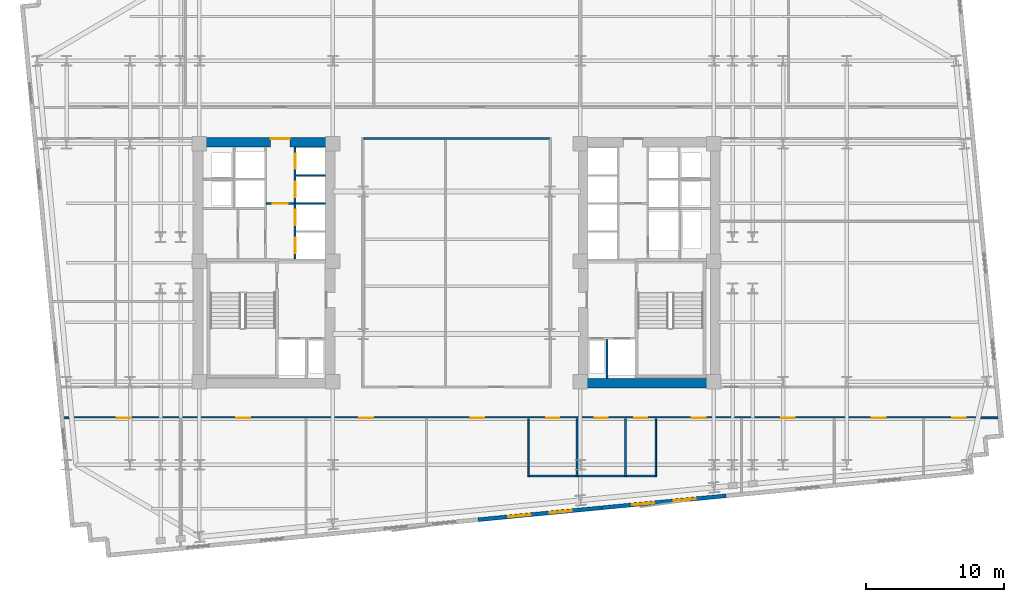
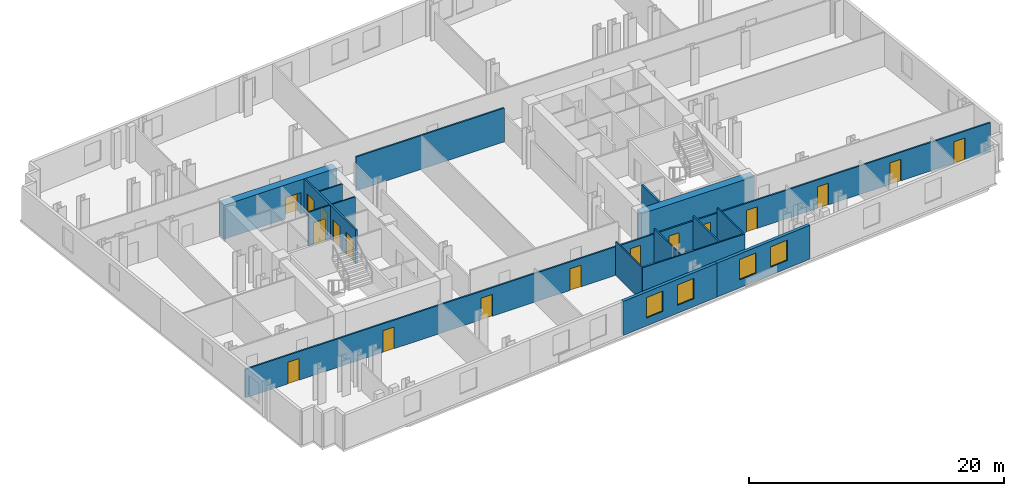
# One storey, part 5 of 10: 17 doors, 16 walls, 4 windows, 21 openings.
"""IFC4 building model written with IfcOpenShell, lengths in metres."""

from ifc_helpers import new_model, si_unit, direction, frame, frame_2d, origin, place, context, subcontext, project, spatial, rectangle, extrude, material, layer, layer_set, type_object, element, fill, save


model = new_model("IFC4")

# Units and contexts
model_context = context("Model", 3, precision=1e-05, world=origin(), true_north=direction((0.0, 1.0)))
body_context = subcontext(model_context, "Body", "Model", "MODEL_VIEW")
ifc_project = project(units=[si_unit("LENGTHUNIT", "METRE"), si_unit("AREAUNIT", "SQUARE_METRE"), si_unit("VOLUMEUNIT", "CUBIC_METRE"), si_unit("PLANEANGLEUNIT", "RADIAN"), si_unit("MASSUNIT", "GRAM", prefix="KILO")], contexts=[model_context])

# Site, building, storey
site_placement = place(None, origin())
site = spatial("IfcSite", under=ifc_project, at=site_placement, CompositionType="ELEMENT")
building_placement = place(site_placement, origin())
building = spatial("IfcBuilding", under=site, at=building_placement, Name="Velakula Bourse", CompositionType="ELEMENT")
storey_placement = place(building_placement, frame((0.0, 0.0, 84.550048828125)))
storey = spatial("IfcBuildingStorey", under=building, at=storey_placement, Name="L22", CompositionType="ELEMENT", Elevation=84.550048828125)

# Wall, opening, door
ifc_material_1 = material(Name="Concrete M70 (fck 70 MPa)", Category="concrete")
ifc_layer_1 = layer(ifc_material_1, 0.699951171875, Name="Concrete M70 (fck 70 MPa)", Category="concrete")
ifc_layer_set_1 = layer_set([ifc_layer_1], Name="Concrete M70 (fck 70 MPa)")
wall_type_1 = type_object("IfcWallType", Name="WL-CORE-700", PredefinedType="SHEAR", material=ifc_layer_set_1)
wall_1_placement = place(storey_placement, frame((-19.050048828125, 8.699951171875, 0.0), z_axis=(0.0, 0.0, 1.0), x_axis=(1.0, 0.0, 0.0)))
wall_1 = element("IfcWall", 1, at=wall_1_placement, inside=storey, type_object=wall_type_1, Name="L22 Core W Shear Wall N", PredefinedType="SHEAR", context=body_context, shape_type="SweptSolid", body=[
    extrude(rectangle(XDim=10.25, YDim=0.699951171875, at=frame_2d((5.125, 0.0))), origin(), (0.0, 0.0, 1.0), 3.27001953125),
])
opening_1_placement = place(wall_1_placement, frame((5.60009765625, 0.0, 0.0)))
opening_1 = element("IfcOpeningElement", 2, at=opening_1_placement, cuts=wall_1, Name="Opening D-LLW", PredefinedType="OPENING", context=body_context, shape_type="SweptSolid", body=[
    extrude(rectangle(XDim=1.39990234375, YDim=2.050048828125, at=frame_2d((0.699951171875, 1.02490234375))), frame((0.0, 0.35986328125, 0.0), z_axis=(0.0, -1.0, 0.0), x_axis=(1.0, 0.0, 0.0)), (0.0, 0.0, 1.0), 0.719970703125),
])
ifc_material_2 = material(Name="Fire-rated hardwood flush architectural door", Category="wood")
door_type_1 = type_object("IfcDoorType", Name="DR-DBL-FD60-1400", OperationType="DOUBLE_DOOR_SINGLE_SWING", PredefinedType="DOOR", material=ifc_material_2)
door_1_placement = place(opening_1_placement, origin())
door_1 = element("IfcDoor", 3, at=door_1_placement, inside=storey, type_object=door_type_1, Name="L22 Core W Lift Lobby Corridor Double Door", OperationType="DOUBLE_DOOR_SINGLE_SWING", OverallHeight=2.050048828125, OverallWidth=1.39990234375, PredefinedType="DOOR", context=body_context, shape_type="SweptSolid", body=[
    extrude(rectangle(XDim=1.39990234375, YDim=2.050048828125, at=frame_2d((0.699951171875, 1.02490234375))), frame((0.0, 0.294921875, 0.0), z_axis=(0.0, -1.0, 0.0), x_axis=(1.0, 0.0, 0.0)), (0.0, 0.0, 1.0), 0.050048828125),
])
fill(opening_1, door_1)

# Wall
wall_2_placement = place(storey_placement, frame((8.800048828125, -8.699951171875, 0.0), z_axis=(0.0, 0.0, 1.0), x_axis=(1.0, 0.0, 0.0)))
element("IfcWall", 4, at=wall_2_placement, inside=storey, type_object=wall_type_1, Name="L22 Core E Shear Wall S", PredefinedType="SHEAR", context=body_context, shape_type="SweptSolid", body=[
    extrude(rectangle(XDim=10.25, YDim=0.699951171875, at=frame_2d((5.125, 0.0))), origin(), (0.0, 0.0, 1.0), 3.27001953125),
])

# Wall, openings, windows
ifc_material_3 = material(Name="Red kilned clay facing brick masonry", Category="masonry")
ifc_layer_2 = layer(ifc_material_3, 0.280029296875, Name="Red kilned clay facing brick masonry", Category="masonry")
ifc_layer_set_2 = layer_set([ifc_layer_2], Name="Red kilned clay facing brick masonry")
wall_type_2 = type_object("IfcWallType", Name="WL-EXT-BRK-280", PredefinedType="STANDARD", material=ifc_layer_set_2)
wall_3_placement = place(storey_placement, frame((10.51513671875, -17.7109375, 0.0), z_axis=(0.0, 0.0, 1.0), x_axis=(-0.995397043619, -0.095836973841, 0.0)))
wall_3 = element("IfcWall", 5, at=wall_3_placement, inside=storey, type_object=wall_type_2, Name="L22 S Brick Spandrel Wall B3", PredefinedType="STANDARD", context=body_context, shape_type="SweptSolid", body=[
    extrude(rectangle(XDim=9.000244140625, YDim=0.280029296875, at=frame_2d((4.5, 0.0))), origin(), (0.0, 0.0, 1.0), 3.25),
])
opening_2_placement = place(wall_3_placement, frame((2.199951171875, 0.0, 0.760009765625)))
opening_2 = element("IfcOpeningElement", 6, at=opening_2_placement, cuts=wall_3, Name="Opening W-02", PredefinedType="OPENING", context=body_context, shape_type="SweptSolid", body=[
    extrude(rectangle(XDim=1.60009765625, YDim=1.949951171875, at=frame_2d((0.800048828125, 0.97509765625))), frame((0.0, 0.14990234375, 0.0), z_axis=(0.0, -1.0, 0.0), x_axis=(1.0, 0.0, 0.0)), (0.0, 0.0, 1.0), 0.300048828125),
])
opening_3_placement = place(wall_3_placement, frame((5.199951171875, 0.0, 0.760009765625)))
opening_3 = element("IfcOpeningElement", 7, at=opening_3_placement, cuts=wall_3, Name="Opening W-02", PredefinedType="OPENING", context=body_context, shape_type="SweptSolid", body=[
    extrude(rectangle(XDim=1.60009765625, YDim=1.949951171875, at=frame_2d((0.800048828125, 0.97509765625))), frame((0.0, 0.14990234375, 0.0), z_axis=(0.0, -1.0, 0.0), x_axis=(1.0, 0.0, 0.0)), (0.0, 0.0, 1.0), 0.300048828125),
])
ifc_material_4 = material(Name="Double-glazed solar-control Low-E glass", Category="glass")
window_type = type_object("IfcWindowType", Name="WIN-TWR-1600x2100", PartitioningType="SINGLE_PANEL", PredefinedType="WINDOW", material=ifc_material_4)
window_1_placement = place(opening_2_placement, origin())
window_1 = element("IfcWindow", 8, at=window_1_placement, inside=storey, type_object=window_type, Name="L22 Deep-Set Recessed Window 1", OverallHeight=1.949951171875, OverallWidth=1.60009765625, PartitioningType="SINGLE_PANEL", PredefinedType="WINDOW", context=body_context, shape_type="SweptSolid", body=[
    extrude(rectangle(XDim=1.60009765625, YDim=1.949951171875, at=frame_2d((0.800048828125, 0.97509765625))), frame((0.0, 0.030029296875, 0.0), z_axis=(0.0, -1.0, 0.0), x_axis=(1.0, 0.0, 0.0)), (0.0, 0.0, 1.0), 0.06005859375),
])
fill(opening_2, window_1)
window_2_placement = place(opening_3_placement, origin())
window_2 = element("IfcWindow", 9, at=window_2_placement, inside=storey, type_object=window_type, Name="L22 Deep-Set Recessed Window 2", OverallHeight=1.949951171875, OverallWidth=1.60009765625, PartitioningType="SINGLE_PANEL", PredefinedType="WINDOW", context=body_context, shape_type="SweptSolid", body=[
    extrude(rectangle(XDim=1.60009765625, YDim=1.949951171875, at=frame_2d((0.800048828125, 0.97509765625))), frame((0.0, 0.030029296875, 0.0), z_axis=(0.0, -1.0, 0.0), x_axis=(1.0, 0.0, 0.0)), (0.0, 0.0, 1.0), 0.06005859375),
])
fill(opening_3, window_2)

wall_4_placement = place(storey_placement, frame((19.4736328125, -16.848388671875, 0.0), z_axis=(0.0, 0.0, 1.0), x_axis=(-0.995396794462, -0.09583956164, 0.0)))
wall_4 = element("IfcWall", 10, at=wall_4_placement, inside=storey, type_object=wall_type_2, Name="L22 S Brick Spandrel Wall B4", PredefinedType="STANDARD", context=body_context, shape_type="SweptSolid", body=[
    extrude(rectangle(XDim=9.0, YDim=0.280029296875, at=frame_2d((4.5, 0.0))), origin(), (0.0, 0.0, 1.0), 3.25),
])
opening_4_placement = place(wall_4_placement, frame((2.199951171875, 0.0, 0.760009765625)))
opening_4 = element("IfcOpeningElement", 11, at=opening_4_placement, cuts=wall_4, Name="Opening W-02", PredefinedType="OPENING", context=body_context, shape_type="SweptSolid", body=[
    extrude(rectangle(XDim=1.60009765625, YDim=1.949951171875, at=frame_2d((0.800048828125, 0.97509765625))), frame((0.0, 0.14990234375, 0.0), z_axis=(0.0, -1.0, 0.0), x_axis=(1.0, 0.0, 0.0)), (0.0, 0.0, 1.0), 0.300048828125),
])
opening_5_placement = place(wall_4_placement, frame((5.199951171875, 0.0, 0.760009765625)))
opening_5 = element("IfcOpeningElement", 12, at=opening_5_placement, cuts=wall_4, Name="Opening W-02", PredefinedType="OPENING", context=body_context, shape_type="SweptSolid", body=[
    extrude(rectangle(XDim=1.60009765625, YDim=1.949951171875, at=frame_2d((0.800048828125, 0.97509765625))), frame((0.0, 0.14990234375, 0.0), z_axis=(0.0, -1.0, 0.0), x_axis=(1.0, 0.0, 0.0)), (0.0, 0.0, 1.0), 0.300048828125),
])
window_3_placement = place(opening_4_placement, origin())
window_3 = element("IfcWindow", 13, at=window_3_placement, inside=storey, type_object=window_type, Name="L22 Deep-Set Recessed Window 1", OverallHeight=1.949951171875, OverallWidth=1.60009765625, PartitioningType="SINGLE_PANEL", PredefinedType="WINDOW", context=body_context, shape_type="SweptSolid", body=[
    extrude(rectangle(XDim=1.60009765625, YDim=1.949951171875, at=frame_2d((0.800048828125, 0.97509765625))), frame((0.0, 0.030029296875, 0.0), z_axis=(0.0, -1.0, 0.0), x_axis=(1.0, 0.0, 0.0)), (0.0, 0.0, 1.0), 0.06005859375),
])
fill(opening_4, window_3)
window_4_placement = place(opening_5_placement, origin())
window_4 = element("IfcWindow", 14, at=window_4_placement, inside=storey, type_object=window_type, Name="L22 Deep-Set Recessed Window 2", OverallHeight=1.949951171875, OverallWidth=1.60009765625, PartitioningType="SINGLE_PANEL", PredefinedType="WINDOW", context=body_context, shape_type="SweptSolid", body=[
    extrude(rectangle(XDim=1.60009765625, YDim=1.949951171875, at=frame_2d((0.800048828125, 0.97509765625))), frame((0.0, 0.030029296875, 0.0), z_axis=(0.0, -1.0, 0.0), x_axis=(1.0, 0.0, 0.0)), (0.0, 0.0, 1.0), 0.06005859375),
])
fill(opening_5, window_4)

# Wall, opening, door
ifc_material_5 = material(Name="Fire-rated double-layer gypsum drywall partition", Category="gypsum")
ifc_layer_3 = layer(ifc_material_5, 0.1201171875, Name="Fire-rated double-layer gypsum drywall partition", Category="gypsum")
ifc_layer_set_3 = layer_set([ifc_layer_3], Name="Fire-rated double-layer gypsum drywall partition")
wall_type_3 = type_object("IfcWallType", Name="WL-PART-120", PredefinedType="STANDARD", material=ifc_layer_set_3)
wall_5_placement = place(storey_placement, frame((-13.75, 4.280029296875, 0.0), z_axis=(0.0, 0.0, 1.0), x_axis=(1.0, 0.0, 0.0)))
wall_5 = element("IfcWall", 15, at=wall_5_placement, inside=storey, type_object=wall_type_3, Name="L22 Interior Partition WL-CRW-L22-LL-K2", PredefinedType="STANDARD", context=body_context, shape_type="SweptSolid", body=[
    extrude(rectangle(XDim=2.0, YDim=0.1201171875, at=frame_2d((1.0, 0.0))), origin(), (0.0, 0.0, 1.0), 3.25),
])
opening_6_placement = place(wall_5_placement, frame((0.449951171875, 0.0, 0.0)))
opening_6 = element("IfcOpeningElement", 16, at=opening_6_placement, cuts=wall_5, Name="Opening D-LK2", PredefinedType="OPENING", context=body_context, shape_type="SweptSolid", body=[
    extrude(rectangle(XDim=1.10009765625, YDim=2.10009765625, at=frame_2d((0.550048828125, 1.050048828125))), frame((0.0, 0.070068359375, 0.0), z_axis=(0.0, -1.0, 0.0), x_axis=(1.0, 0.0, 0.0)), (0.0, 0.0, 1.0), 0.14013671875),
])
door_type_2 = type_object("IfcDoorType", Name="DR-FD60-1100x2100", OperationType="NOTDEFINED", PredefinedType="DOOR", material=ifc_material_2)
door_2_placement = place(opening_6_placement, origin())
door_2 = element("IfcDoor", 17, at=door_2_placement, inside=storey, type_object=door_type_2, Name="L22 Core W Lift Lobby Zone Door", OperationType="SINGLE_SWING_RIGHT", OverallHeight=2.10009765625, OverallWidth=1.10009765625, PredefinedType="DOOR", context=body_context, shape_type="SweptSolid", body=[
    extrude(rectangle(XDim=1.10009765625, YDim=2.10009765625, at=frame_2d((0.550048828125, 1.050048828125))), frame((0.0, 0.02490234375, 0.0), z_axis=(0.0, -1.0, 0.0), x_axis=(1.0, 0.0, 0.0)), (0.0, 0.0, 1.0), 0.050048828125),
])
fill(opening_6, door_2)

# Walls
for number, where, z_axis, x_axis, name in (
    (18, (-11.60009765625, 4.284912109375, 0.0), (0.0, 0.0, 1.0), (1.0, 0.0, 0.0), "L22 Interior Partition WL-CRW-L22-BDIV-1"),
    (19, (-11.60009765625, 6.31494140625, 0.0), (0.0, 0.0, 1.0), (1.0, 0.0, 0.0), "L22 Interior Partition WL-CRW-L22-BDIV-2"),
):
    element("IfcWall", number, at=place(storey_placement, frame(where, z_axis=z_axis, x_axis=x_axis)), inside=storey, type_object=wall_type_3, Name=name, PredefinedType="STANDARD", context=body_context, shape_type="SweptSolid", body=[
        extrude(rectangle(XDim=2.10009765625, YDim=0.110107421875, at=frame_2d((1.050048828125, 0.0))), origin(), (0.0, 0.0, 1.0), 3.25),
    ])
wall_6_placement = place(storey_placement, frame((5.139892578125, -15.419921875, 0.0), z_axis=(0.0, 0.0, 1.0), x_axis=(1.0, 0.0, 0.0)))
element("IfcWall", 20, at=wall_6_placement, inside=storey, type_object=wall_type_3, Name="L22 Interior Partition WL-WC-L22-BACK", PredefinedType="STANDARD", context=body_context, shape_type="SweptSolid", body=[
    extrude(rectangle(XDim=9.320068359375, YDim=0.1201171875, at=frame_2d((4.66015625, 0.0))), origin(), (0.0, 0.0, 1.0), 3.25),
])
for number, where, z_axis, x_axis, name in (
    (21, (5.199951171875, -15.419921875, 0.0), (0.0, 0.0, 1.0), (0.0, 1.0, 0.0), "L22 Interior Partition WL-WC-L22-V1"),
    (22, (8.699951171875, -15.419921875, 0.0), (0.0, 0.0, 1.0), (0.0, 1.0, 0.0), "L22 Interior Partition WL-WC-L22-V2"),
    (23, (12.199951171875, -15.419921875, 0.0), (0.0, 0.0, 1.0), (0.0, 1.0, 0.0), "L22 Interior Partition WL-WC-L22-V3"),
    (24, (14.39990234375, -15.419921875, 0.0), (0.0, 0.0, 1.0), (0.0, 1.0, 0.0), "L22 Interior Partition WL-WC-L22-V4"),
):
    element("IfcWall", number, at=place(storey_placement, frame(where, z_axis=z_axis, x_axis=x_axis)), inside=storey, type_object=wall_type_3, Name=name, PredefinedType="STANDARD", context=body_context, shape_type="SweptSolid", body=[
        extrude(rectangle(XDim=4.1298828125, YDim=0.1201171875, at=frame_2d((2.06494140625, 0.0))), origin(), (0.0, 0.0, 1.0), 3.25),
    ])

# Wall, openings, doors
ifc_layer_4 = layer(ifc_material_5, 0.139892578125, Name="Fire-rated double-layer gypsum drywall partition", Category="gypsum")
ifc_layer_set_4 = layer_set([ifc_layer_4], Name="Fire-rated double-layer gypsum drywall partition")
wall_type_4 = type_object("IfcWallType", Name="WL-PART-140", PredefinedType="STANDARD", material=ifc_layer_set_4)
wall_7_placement = place(storey_placement, frame((-28.40625, -11.219970703125, 0.0), z_axis=(0.0, 0.0, 1.0), x_axis=(1.0, 0.0, 0.0)))
wall_7 = element("IfcWall", 25, at=wall_7_placement, inside=storey, type_object=wall_type_4, Name="L22 Interior Partition WL-INT-L22-S-CORR", PredefinedType="STANDARD", context=body_context, shape_type="SweptSolid", body=[
    extrude(rectangle(XDim=67.551025390625, YDim=0.139892578125, at=frame_2d((33.775390625, 0.0))), origin(), (0.0, 0.0, 1.0), 2.744873046875),
])
opening_7_placement = place(wall_7_placement, frame((34.896240234375, 0.0, 0.0)))
opening_7 = element("IfcOpeningElement", 26, at=opening_7_placement, cuts=wall_7, Name="Opening D-WT1", PredefinedType="OPENING", context=body_context, shape_type="SweptSolid", body=[
    extrude(rectangle(XDim=0.919921875, YDim=2.080078125, at=frame_2d((0.4599609375, 1.0400390625))), frame((0.0, 0.079833984375, 0.0), z_axis=(0.0, -1.0, 0.0), x_axis=(1.0, 0.0, 0.0)), (0.0, 0.0, 1.0), 0.159912109375),
])
opening_8_placement = place(wall_7_placement, frame((38.396240234375, 0.0, 0.0)))
opening_8 = element("IfcOpeningElement", 27, at=opening_8_placement, cuts=wall_7, Name="Opening D-WT1", PredefinedType="OPENING", context=body_context, shape_type="SweptSolid", body=[
    extrude(rectangle(XDim=0.919921875, YDim=2.080078125, at=frame_2d((0.4599609375, 1.0400390625))), frame((0.0, 0.079833984375, 0.0), z_axis=(0.0, -1.0, 0.0), x_axis=(1.0, 0.0, 0.0)), (0.0, 0.0, 1.0), 0.159912109375),
])
opening_9_placement = place(wall_7_placement, frame((41.246337890625, 0.0, 0.0)))
opening_9 = element("IfcOpeningElement", 28, at=opening_9_placement, cuts=wall_7, Name="Opening D-WC1", PredefinedType="OPENING", context=body_context, shape_type="SweptSolid", body=[
    extrude(rectangle(XDim=0.919921875, YDim=2.080078125, at=frame_2d((0.4599609375, 1.0400390625))), frame((0.0, 0.079833984375, 0.0), z_axis=(0.0, -1.0, 0.0), x_axis=(1.0, 0.0, 0.0)), (0.0, 0.0, 1.0), 0.159912109375),
])
opening_10_placement = place(wall_7_placement, frame((3.85205078125, 0.0, 0.0)))
opening_10 = element("IfcOpeningElement", 29, at=opening_10_placement, cuts=wall_7, Name="Opening D-OF1", PredefinedType="OPENING", context=body_context, shape_type="SweptSolid", body=[
    extrude(rectangle(XDim=1.0, YDim=2.080078125, at=frame_2d((0.5, 1.0400390625))), frame((0.0, 0.079833984375, 0.0), z_axis=(0.0, -1.0, 0.0), x_axis=(1.0, 0.0, 0.0)), (0.0, 0.0, 1.0), 0.159912109375),
])
opening_11_placement = place(wall_7_placement, frame((12.479736328125, 0.0, 0.0)))
opening_11 = element("IfcOpeningElement", 30, at=opening_11_placement, cuts=wall_7, Name="Opening D-OF1", PredefinedType="OPENING", context=body_context, shape_type="SweptSolid", body=[
    extrude(rectangle(XDim=1.0, YDim=2.080078125, at=frame_2d((0.5, 1.0400390625))), frame((0.0, 0.079833984375, 0.0), z_axis=(0.0, -1.0, 0.0), x_axis=(1.0, 0.0, 0.0)), (0.0, 0.0, 1.0), 0.159912109375),
])
opening_12_placement = place(wall_7_placement, frame((21.3671875, 0.0, 0.0)))
opening_12 = element("IfcOpeningElement", 31, at=opening_12_placement, cuts=wall_7, Name="Opening D-OF1", PredefinedType="OPENING", context=body_context, shape_type="SweptSolid", body=[
    extrude(rectangle(XDim=1.0, YDim=2.080078125, at=frame_2d((0.5, 1.0400390625))), frame((0.0, 0.079833984375, 0.0), z_axis=(0.0, -1.0, 0.0), x_axis=(1.0, 0.0, 0.0)), (0.0, 0.0, 1.0), 0.159912109375),
])
opening_13_placement = place(wall_7_placement, frame((29.416748046875, 0.0, 0.0)))
opening_13 = element("IfcOpeningElement", 32, at=opening_13_placement, cuts=wall_7, Name="Opening D-OF1", PredefinedType="OPENING", context=body_context, shape_type="SweptSolid", body=[
    extrude(rectangle(XDim=1.0, YDim=2.080078125, at=frame_2d((0.5, 1.0400390625))), frame((0.0, 0.079833984375, 0.0), z_axis=(0.0, -1.0, 0.0), x_axis=(1.0, 0.0, 0.0)), (0.0, 0.0, 1.0), 0.159912109375),
])
opening_14_placement = place(wall_7_placement, frame((45.4052734375, 0.0, 0.0)))
opening_14 = element("IfcOpeningElement", 33, at=opening_14_placement, cuts=wall_7, Name="Opening D-OF1", PredefinedType="OPENING", context=body_context, shape_type="SweptSolid", body=[
    extrude(rectangle(XDim=1.0, YDim=2.080078125, at=frame_2d((0.5, 1.0400390625))), frame((0.0, 0.079833984375, 0.0), z_axis=(0.0, -1.0, 0.0), x_axis=(1.0, 0.0, 0.0)), (0.0, 0.0, 1.0), 0.159912109375),
])
opening_15_placement = place(wall_7_placement, frame((51.851806640625, 0.0, 0.0)))
opening_15 = element("IfcOpeningElement", 34, at=opening_15_placement, cuts=wall_7, Name="Opening D-OF1", PredefinedType="OPENING", context=body_context, shape_type="SweptSolid", body=[
    extrude(rectangle(XDim=1.0, YDim=2.080078125, at=frame_2d((0.5, 1.0400390625))), frame((0.0, 0.079833984375, 0.0), z_axis=(0.0, -1.0, 0.0), x_axis=(1.0, 0.0, 0.0)), (0.0, 0.0, 1.0), 0.159912109375),
])
opening_16_placement = place(wall_7_placement, frame((58.42236328125, 0.0, 0.0)))
opening_16 = element("IfcOpeningElement", 35, at=opening_16_placement, cuts=wall_7, Name="Opening D-OF1", PredefinedType="OPENING", context=body_context, shape_type="SweptSolid", body=[
    extrude(rectangle(XDim=1.0, YDim=2.080078125, at=frame_2d((0.5, 1.0400390625))), frame((0.0, 0.079833984375, 0.0), z_axis=(0.0, -1.0, 0.0), x_axis=(1.0, 0.0, 0.0)), (0.0, 0.0, 1.0), 0.159912109375),
])
opening_17_placement = place(wall_7_placement, frame((64.22216796875, 0.0, 0.0)))
opening_17 = element("IfcOpeningElement", 36, at=opening_17_placement, cuts=wall_7, Name="Opening D-OF1", PredefinedType="OPENING", context=body_context, shape_type="SweptSolid", body=[
    extrude(rectangle(XDim=1.0, YDim=2.080078125, at=frame_2d((0.5, 1.0400390625))), frame((0.0, 0.079833984375, 0.0), z_axis=(0.0, -1.0, 0.0), x_axis=(1.0, 0.0, 0.0)), (0.0, 0.0, 1.0), 0.159912109375),
])
door_type_3 = type_object("IfcDoorType", Name="DR-OFF-1000", OperationType="NOTDEFINED", PredefinedType="DOOR", material=ifc_material_2)
door_3_placement = place(opening_10_placement, origin())
door_3 = element("IfcDoor", 37, at=door_3_placement, inside=storey, type_object=door_type_3, Name="L22 Sky-Garden Veranda Lounge Door", OperationType="SINGLE_SWING_LEFT", OverallHeight=2.080078125, OverallWidth=1.0, PredefinedType="DOOR", context=body_context, shape_type="SweptSolid", body=[
    extrude(rectangle(XDim=1.0, YDim=2.080078125, at=frame_2d((0.5, 1.0400390625))), frame((0.0, 0.02490234375, 0.0), z_axis=(0.0, -1.0, 0.0), x_axis=(1.0, 0.0, 0.0)), (0.0, 0.0, 1.0), 0.050048828125),
])
fill(opening_10, door_3)
door_4_placement = place(opening_11_placement, origin())
door_4 = element("IfcDoor", 38, at=door_4_placement, inside=storey, type_object=door_type_3, Name="L22 General Counsel Office Door", OperationType="SINGLE_SWING_RIGHT", OverallHeight=2.080078125, OverallWidth=1.0, PredefinedType="DOOR", context=body_context, shape_type="SweptSolid", body=[
    extrude(rectangle(XDim=1.0, YDim=2.080078125, at=frame_2d((0.5, 1.0400390625))), frame((0.0, 0.02490234375, 0.0), z_axis=(0.0, -1.0, 0.0), x_axis=(1.0, 0.0, 0.0)), (0.0, 0.0, 1.0), 0.050048828125),
])
fill(opening_11, door_4)
door_5_placement = place(opening_12_placement, origin())
door_5 = element("IfcDoor", 39, at=door_5_placement, inside=storey, type_object=door_type_3, Name="L22 Yield Curve Seminar Room Door", OperationType="SINGLE_SWING_LEFT", OverallHeight=2.080078125, OverallWidth=1.0, PredefinedType="DOOR", context=body_context, shape_type="SweptSolid", body=[
    extrude(rectangle(XDim=1.0, YDim=2.080078125, at=frame_2d((0.5, 1.0400390625))), frame((0.0, 0.02490234375, 0.0), z_axis=(0.0, -1.0, 0.0), x_axis=(1.0, 0.0, 0.0)), (0.0, 0.0, 1.0), 0.050048828125),
])
fill(opening_12, door_5)
door_6_placement = place(opening_13_placement, origin())
door_6 = element("IfcDoor", 40, at=door_6_placement, inside=storey, type_object=door_type_3, Name="L22 Traders Pantry Door", OperationType="SINGLE_SWING_RIGHT", OverallHeight=2.080078125, OverallWidth=1.0, PredefinedType="DOOR", context=body_context, shape_type="SweptSolid", body=[
    extrude(rectangle(XDim=1.0, YDim=2.080078125, at=frame_2d((0.5, 1.0400390625))), frame((0.0, 0.02490234375, 0.0), z_axis=(0.0, -1.0, 0.0), x_axis=(1.0, 0.0, 0.0)), (0.0, 0.0, 1.0), 0.050048828125),
])
fill(opening_13, door_6)
door_7_placement = place(opening_14_placement, origin())
door_7 = element("IfcDoor", 41, at=door_7_placement, inside=storey, type_object=door_type_3, Name="L22 Prime-Brokerage Dealing Workspace Door", OperationType="SINGLE_SWING_LEFT", OverallHeight=2.080078125, OverallWidth=1.0, PredefinedType="DOOR", context=body_context, shape_type="SweptSolid", body=[
    extrude(rectangle(XDim=1.0, YDim=2.080078125, at=frame_2d((0.5, 1.0400390625))), frame((0.0, 0.02490234375, 0.0), z_axis=(0.0, -1.0, 0.0), x_axis=(1.0, 0.0, 0.0)), (0.0, 0.0, 1.0), 0.050048828125),
])
fill(opening_14, door_7)
door_8_placement = place(opening_15_placement, origin())
door_8 = element("IfcDoor", 42, at=door_8_placement, inside=storey, type_object=door_type_3, Name="L22 Primary Dealer Office Door", OperationType="SINGLE_SWING_RIGHT", OverallHeight=2.080078125, OverallWidth=1.0, PredefinedType="DOOR", context=body_context, shape_type="SweptSolid", body=[
    extrude(rectangle(XDim=1.0, YDim=2.080078125, at=frame_2d((0.5, 1.0400390625))), frame((0.0, 0.02490234375, 0.0), z_axis=(0.0, -1.0, 0.0), x_axis=(1.0, 0.0, 0.0)), (0.0, 0.0, 1.0), 0.050048828125),
])
fill(opening_15, door_8)
door_9_placement = place(opening_16_placement, origin())
door_9 = element("IfcDoor", 43, at=door_9_placement, inside=storey, type_object=door_type_3, Name="L22 Sky-Garden Veranda Lounge Door", OperationType="SINGLE_SWING_LEFT", OverallHeight=2.080078125, OverallWidth=1.0, PredefinedType="DOOR", context=body_context, shape_type="SweptSolid", body=[
    extrude(rectangle(XDim=1.0, YDim=2.080078125, at=frame_2d((0.5, 1.0400390625))), frame((0.0, 0.02490234375, 0.0), z_axis=(0.0, -1.0, 0.0), x_axis=(1.0, 0.0, 0.0)), (0.0, 0.0, 1.0), 0.050048828125),
])
fill(opening_16, door_9)
door_10_placement = place(opening_17_placement, origin())
door_10 = element("IfcDoor", 44, at=door_10_placement, inside=storey, type_object=door_type_3, Name="L22 General Counsel Office Door", OperationType="SINGLE_SWING_RIGHT", OverallHeight=2.080078125, OverallWidth=1.0, PredefinedType="DOOR", context=body_context, shape_type="SweptSolid", body=[
    extrude(rectangle(XDim=1.0, YDim=2.080078125, at=frame_2d((0.5, 1.0400390625))), frame((0.0, 0.02490234375, 0.0), z_axis=(0.0, -1.0, 0.0), x_axis=(1.0, 0.0, 0.0)), (0.0, 0.0, 1.0), 0.050048828125),
])
fill(opening_17, door_10)
door_type_4 = type_object("IfcDoorType", Name="DR-WC-950", OperationType="NOTDEFINED", PredefinedType="DOOR", material=ifc_material_2)
door_11_placement = place(opening_7_placement, origin())
door_11 = element("IfcDoor", 45, at=door_11_placement, inside=storey, type_object=door_type_4, Name="L22 Male Staff Toilet Door", OperationType="SINGLE_SWING_RIGHT", OverallHeight=2.080078125, OverallWidth=0.919921875, PredefinedType="DOOR", context=body_context, shape_type="SweptSolid", body=[
    extrude(rectangle(XDim=0.919921875, YDim=2.080078125, at=frame_2d((0.4599609375, 1.0400390625))), frame((0.0, 0.02490234375, 0.0), z_axis=(0.0, -1.0, 0.0), x_axis=(1.0, 0.0, 0.0)), (0.0, 0.0, 1.0), 0.050048828125),
])
fill(opening_7, door_11)
door_12_placement = place(opening_8_placement, origin())
door_12 = element("IfcDoor", 46, at=door_12_placement, inside=storey, type_object=door_type_4, Name="L22 Female Staff Toilet Door", OperationType="SINGLE_SWING_LEFT", OverallHeight=2.080078125, OverallWidth=0.919921875, PredefinedType="DOOR", context=body_context, shape_type="SweptSolid", body=[
    extrude(rectangle(XDim=0.919921875, YDim=2.080078125, at=frame_2d((0.4599609375, 1.0400390625))), frame((0.0, 0.02490234375, 0.0), z_axis=(0.0, -1.0, 0.0), x_axis=(1.0, 0.0, 0.0)), (0.0, 0.0, 1.0), 0.050048828125),
])
fill(opening_8, door_12)
door_13_placement = place(opening_9_placement, origin())
door_13 = element("IfcDoor", 47, at=door_13_placement, inside=storey, type_object=door_type_4, Name="L22 Accessible WC Door", OperationType="SINGLE_SWING_RIGHT", OverallHeight=2.080078125, OverallWidth=0.919921875, PredefinedType="DOOR", context=body_context, shape_type="SweptSolid", body=[
    extrude(rectangle(XDim=0.919921875, YDim=2.080078125, at=frame_2d((0.4599609375, 1.0400390625))), frame((0.0, 0.02490234375, 0.0), z_axis=(0.0, -1.0, 0.0), x_axis=(1.0, 0.0, 0.0)), (0.0, 0.0, 1.0), 0.050048828125),
])
fill(opening_9, door_13)

# Wall
wall_8_placement = place(storey_placement, frame((-6.7099609375, 8.97998046875, 0.0), z_axis=(0.0, 0.0, 1.0), x_axis=(1.0, 0.0, 0.0)))
element("IfcWall", 48, at=wall_8_placement, inside=storey, type_object=wall_type_4, Name="L22 Interior Partition WL-INT-L22-MID-N", PredefinedType="STANDARD", context=body_context, shape_type="SweptSolid", body=[
    extrude(rectangle(XDim=13.419921875, YDim=0.139892578125, at=frame_2d((6.7099609375, 0.0))), origin(), (0.0, 0.0, 1.0), 3.25),
])

# Wall, openings, doors
ifc_material_6 = material(Name="Autoclaved aerated concrete blockwork masonry", Category="masonry")
ifc_layer_5 = layer(ifc_material_6, 0.14990234375, Name="Autoclaved aerated concrete blockwork masonry", Category="masonry")
ifc_layer_set_5 = layer_set([ifc_layer_5], Name="Autoclaved aerated concrete blockwork masonry")
wall_type_5 = type_object("IfcWallType", Name="WL-SHAFT-150", PredefinedType="STANDARD", material=ifc_layer_set_5)
wall_9_placement = place(storey_placement, frame((-11.675048828125, 0.27001953125, 0.0), z_axis=(0.0, 0.0, 1.0), x_axis=(0.0, 1.0, 0.0)))
wall_9 = element("IfcWall", 49, at=wall_9_placement, inside=storey, type_object=wall_type_5, Name="L22 Interior Partition WL-CRW-L22-BANK-F", PredefinedType="STANDARD", context=body_context, shape_type="SweptSolid", body=[
    extrude(rectangle(XDim=8.080078125, YDim=0.14990234375, at=frame_2d((4.0400390625, 0.0))), origin(), (0.0, 0.0, 1.0), 3.25),
])
opening_18_placement = place(wall_9_placement, frame((0.419921875, 0.0, 0.0)))
opening_18 = element("IfcOpeningElement", 50, at=opening_18_placement, cuts=wall_9, Name="Opening LD-P1", PredefinedType="OPENING", context=body_context, shape_type="SweptSolid", body=[
    extrude(rectangle(XDim=1.10009765625, YDim=2.10009765625, at=frame_2d((0.550048828125, 1.050048828125))), frame((0.0, 0.0849609375, 0.0), z_axis=(0.0, -1.0, 0.0), x_axis=(1.0, 0.0, 0.0)), (0.0, 0.0, 1.0), 0.169921875),
])
opening_19_placement = place(wall_9_placement, frame((2.449951171875, 0.0, 0.0)))
opening_19 = element("IfcOpeningElement", 51, at=opening_19_placement, cuts=wall_9, Name="Opening LD-P2", PredefinedType="OPENING", context=body_context, shape_type="SweptSolid", body=[
    extrude(rectangle(XDim=1.10009765625, YDim=2.10009765625, at=frame_2d((0.550048828125, 1.050048828125))), frame((0.0, 0.0849609375, 0.0), z_axis=(0.0, -1.0, 0.0), x_axis=(1.0, 0.0, 0.0)), (0.0, 0.0, 1.0), 0.169921875),
])
opening_20_placement = place(wall_9_placement, frame((4.47998046875, 0.0, 0.0)))
opening_20 = element("IfcOpeningElement", 52, at=opening_20_placement, cuts=wall_9, Name="Opening LD-P3", PredefinedType="OPENING", context=body_context, shape_type="SweptSolid", body=[
    extrude(rectangle(XDim=1.10009765625, YDim=2.10009765625, at=frame_2d((0.550048828125, 1.050048828125))), frame((0.0, 0.0849609375, 0.0), z_axis=(0.0, -1.0, 0.0), x_axis=(1.0, 0.0, 0.0)), (0.0, 0.0, 1.0), 0.169921875),
])
opening_21_placement = place(wall_9_placement, frame((6.510009765625, 0.0, 0.0)))
opening_21 = element("IfcOpeningElement", 53, at=opening_21_placement, cuts=wall_9, Name="Opening LD-P4", PredefinedType="OPENING", context=body_context, shape_type="SweptSolid", body=[
    extrude(rectangle(XDim=1.10009765625, YDim=2.10009765625, at=frame_2d((0.550048828125, 1.050048828125))), frame((0.0, 0.0849609375, 0.0), z_axis=(0.0, -1.0, 0.0), x_axis=(1.0, 0.0, 0.0)), (0.0, 0.0, 1.0), 0.169921875),
])
ifc_material_7 = material(Name="Brushed grade 316 stainless steel", Category="steel")
door_type_5 = type_object("IfcDoorType", Name="DR-SLIDE-LD-1100", OperationType="DOUBLE_DOOR_SLIDING", PredefinedType="DOOR", material=ifc_material_7)
door_14_placement = place(opening_18_placement, origin())
door_14 = element("IfcDoor", 54, at=door_14_placement, inside=storey, type_object=door_type_5, Name="L22 Passenger Lift P1 Sliding Landing Door", OperationType="DOUBLE_DOOR_SLIDING", OverallHeight=2.10009765625, OverallWidth=1.10009765625, PredefinedType="DOOR", context=body_context, shape_type="SweptSolid", body=[
    extrude(rectangle(XDim=1.10009765625, YDim=2.10009765625, at=frame_2d((0.550048828125, 1.050048828125))), frame((0.0, 0.02490234375, 0.0), z_axis=(0.0, -1.0, 0.0), x_axis=(1.0, 0.0, 0.0)), (0.0, 0.0, 1.0), 0.050048828125),
])
fill(opening_18, door_14)
door_15_placement = place(opening_19_placement, origin())
door_15 = element("IfcDoor", 55, at=door_15_placement, inside=storey, type_object=door_type_5, Name="L22 Passenger Lift P2 Sliding Landing Door", OperationType="DOUBLE_DOOR_SLIDING", OverallHeight=2.10009765625, OverallWidth=1.10009765625, PredefinedType="DOOR", context=body_context, shape_type="SweptSolid", body=[
    extrude(rectangle(XDim=1.10009765625, YDim=2.10009765625, at=frame_2d((0.550048828125, 1.050048828125))), frame((0.0, 0.02490234375, 0.0), z_axis=(0.0, -1.0, 0.0), x_axis=(1.0, 0.0, 0.0)), (0.0, 0.0, 1.0), 0.050048828125),
])
fill(opening_19, door_15)
door_16_placement = place(opening_20_placement, origin())
door_16 = element("IfcDoor", 56, at=door_16_placement, inside=storey, type_object=door_type_5, Name="L22 Passenger Lift P3 Sliding Landing Door", OperationType="DOUBLE_DOOR_SLIDING", OverallHeight=2.10009765625, OverallWidth=1.10009765625, PredefinedType="DOOR", context=body_context, shape_type="SweptSolid", body=[
    extrude(rectangle(XDim=1.10009765625, YDim=2.10009765625, at=frame_2d((0.550048828125, 1.050048828125))), frame((0.0, 0.02490234375, 0.0), z_axis=(0.0, -1.0, 0.0), x_axis=(1.0, 0.0, 0.0)), (0.0, 0.0, 1.0), 0.050048828125),
])
fill(opening_20, door_16)
door_17_placement = place(opening_21_placement, origin())
door_17 = element("IfcDoor", 57, at=door_17_placement, inside=storey, type_object=door_type_5, Name="L22 Passenger Lift P4 Sliding Landing Door", OperationType="DOUBLE_DOOR_SLIDING", OverallHeight=2.10009765625, OverallWidth=1.10009765625, PredefinedType="DOOR", context=body_context, shape_type="SweptSolid", body=[
    extrude(rectangle(XDim=1.10009765625, YDim=2.10009765625, at=frame_2d((0.550048828125, 1.050048828125))), frame((0.0, 0.02490234375, 0.0), z_axis=(0.0, -1.0, 0.0), x_axis=(1.0, 0.0, 0.0)), (0.0, 0.0, 1.0), 0.050048828125),
])
fill(opening_21, door_17)

# Wall
wall_10_placement = place(storey_placement, frame((10.875, -8.35009765625, 0.0), z_axis=(0.0, 0.0, 1.0), x_axis=(0.0, 1.0, 0.0)))
element("IfcWall", 58, at=wall_10_placement, inside=storey, type_object=wall_type_5, Name="L22 Interior Partition WL-CRE-L22-FR-DIV", PredefinedType="STANDARD", context=body_context, shape_type="SweptSolid", body=[
    extrude(rectangle(XDim=2.800048828125, YDim=0.14990234375, at=frame_2d((1.39990234375, 0.0))), origin(), (0.0, 0.0, 1.0), 3.25),
])

save(model, "model.ifc")
